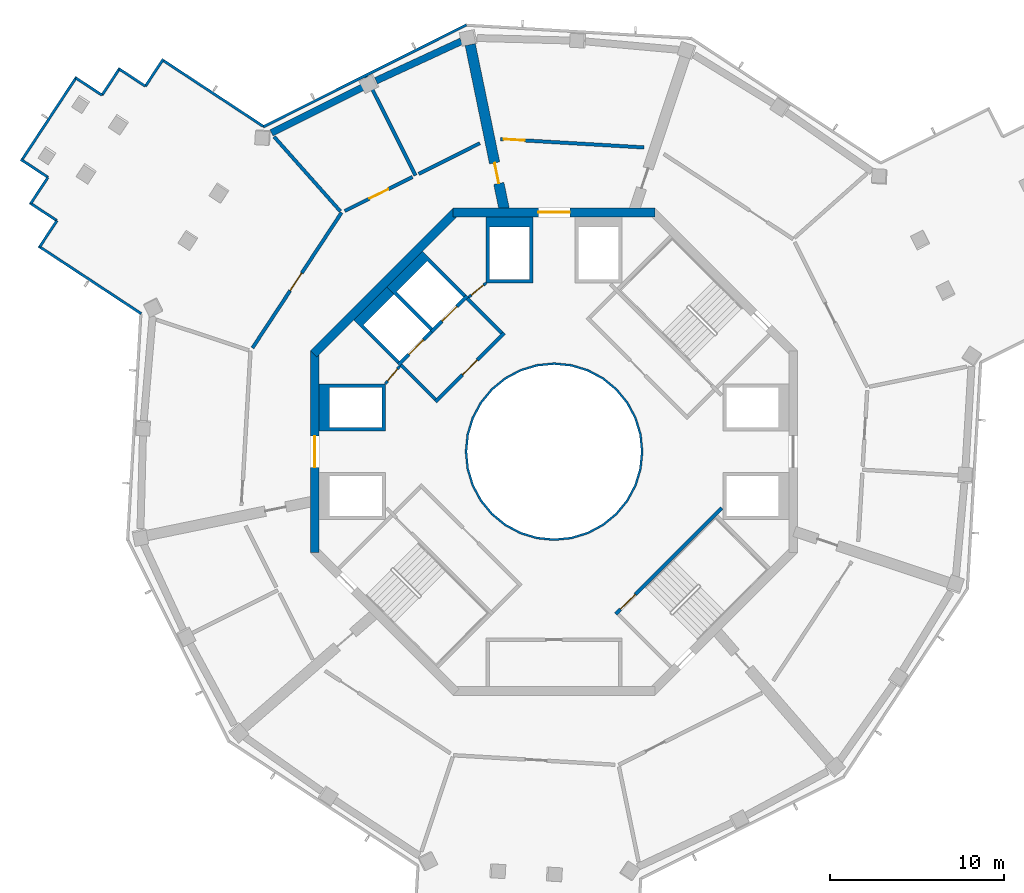
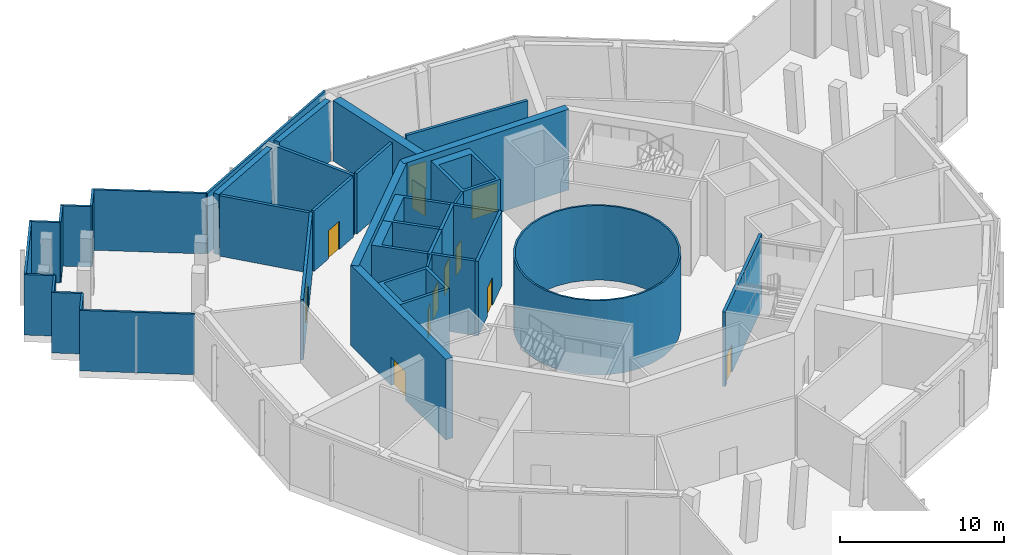
# One storey, part 3 of 16: 37 walls, 12 doors, 12 openings.
"""IFC4 building model written with IfcOpenShell, lengths in metres."""

from ifc_helpers import new_model, si_unit, direction, frame, frame_2d, origin, place, context, subcontext, project, spatial, polyline, rectangle, outline, extrude, material, layer, layer_set, type_object, element, fill, save


model = new_model("IFC4")

# Units and contexts
model_context = context("Model", 3, precision=1e-05, world=origin(), true_north=direction((0.0, 1.0)))
body_context = subcontext(model_context, "Body", "Model", "MODEL_VIEW")
ifc_project = project(units=[si_unit("LENGTHUNIT", "METRE"), si_unit("AREAUNIT", "SQUARE_METRE"), si_unit("VOLUMEUNIT", "CUBIC_METRE"), si_unit("PLANEANGLEUNIT", "RADIAN"), si_unit("MASSUNIT", "GRAM", prefix="KILO")], contexts=[model_context])

# Site, building, storey
site_placement = place(None, origin())
site = spatial("IfcSite", under=ifc_project, at=site_placement, CompositionType="ELEMENT")
building_placement = place(site_placement, origin())
building = spatial("IfcBuilding", under=site, at=building_placement, Name="Verdalira Terraces Hotel", CompositionType="ELEMENT")
storey_placement = place(building_placement, frame((0.0, 0.0, 263.0)))
storey = spatial("IfcBuildingStorey", under=building, at=storey_placement, Name="L65", CompositionType="ELEMENT", Elevation=263.0)

# Walls
ifc_material_1 = material(Name="Fire-resisting glass EI 180", Category="glass")
ifc_layer_1 = layer(ifc_material_1, 0.1201171875)
ifc_layer_set_1 = layer_set([ifc_layer_1], Name="Atrium fire screen 120 mm")
wall_type_1 = type_object("IfcWallType", Name="Atrium fire screen 120 mm", PredefinedType="SOLIDWALL", material=ifc_layer_set_1)
wall_1_placement = place(storey_placement, origin())
element("IfcWall", 1, at=wall_1_placement, inside=storey, type_object=wall_type_1, Name="Atrium fire screen", PredefinedType="SOLIDWALL", context=body_context, shape_type="SweptSolid", body=[
    extrude(outline(polyline([(5.021484, -0.998779), (4.730225, -1.959229), (4.25708, -2.844482), (3.620361, -3.620361), (2.844482, -4.25708), (1.959229, -4.730225), (0.998779, -5.021484), (0.0, -5.120117), (-0.998779, -5.021484), (-1.959229, -4.730225), (-2.844482, -4.25708), (-3.620361, -3.620361), (-4.25708, -2.844482), (-4.730225, -1.959229), (-5.021484, -0.998779), (-5.120117, 0.0), (-5.021484, 0.998779), (-4.730225, 1.959229), (-4.25708, 2.844482), (-3.620361, 3.620361), (-2.844482, 4.25708), (-1.959229, 4.730225), (-0.998779, 5.021484), (0.0, 5.120117), (0.998779, 5.021484), (1.959229, 4.730225), (2.844482, 4.25708), (3.620361, 3.620361), (4.25708, 2.844482), (4.730225, 1.959229), (5.021484, 0.998779), (5.120117, 0.0), (5.021484, -0.998779)]), holes=[polyline([(4.903809, 0.975586), (4.619385, 1.91333), (4.157227, 2.777832), (3.5354, 3.5354), (2.777832, 4.157227), (1.91333, 4.619385), (0.975586, 4.903809), (0.0, 5.0), (-0.975586, 4.903809), (-1.91333, 4.619385), (-2.777832, 4.157227), (-3.5354, 3.5354), (-4.157227, 2.777832), (-4.619385, 1.91333), (-4.903809, 0.975586), (-5.0, 0.0), (-4.903809, -0.975586), (-4.619385, -1.91333), (-4.157227, -2.777832), (-3.5354, -3.5354), (-2.777832, -4.157227), (-1.91333, -4.619385), (-0.975586, -4.903809), (0.0, -5.0), (0.975586, -4.903809), (1.91333, -4.619385), (2.777832, -4.157227), (3.5354, -3.5354), (4.157227, -2.777832), (4.619385, -1.91333), (4.903809, -0.975586), (5.0, 0.0), (4.903809, 0.975586)])]), origin(), (0.0, 0.0, 1.0), 5.550049),
])
ifc_material_2 = material(Name="Concrete C70", Category="concrete")
ifc_layer_2 = layer(ifc_material_2, 0.39990234375)
ifc_layer_set_2 = layer_set([ifc_layer_2], Name="Belt wall 400 C70")
wall_type_2 = type_object("IfcWallType", Name="Belt wall 400 C70", PredefinedType="SHEAR", material=ifc_layer_set_2)
wall_2_placement = place(storey_placement, frame((-5.336182, 23.584717, 0.0), z_axis=(0.0, 0.0, 1.0), x_axis=(-0.90763997, -0.419749551, 0.0)))
element("IfcWall", 2, at=wall_2_placement, inside=storey, type_object=wall_type_2, Name="Belt wall BW-65-17", PredefinedType="SHEAR", context=body_context, shape_type="SweptSolid", body=[
    extrude(rectangle(XDim=5.395752, YDim=0.399902, at=frame_2d((2.697754, 0.0))), origin(), (0.0, 0.0, 1.0), 4.5),
])
wall_3_placement = place(storey_placement, frame((-10.965576, 20.967285, 0.0), z_axis=(0.0, 0.0, 1.0), x_axis=(-0.893855414, -0.448355327, 0.0)))
element("IfcWall", 3, at=wall_3_placement, inside=storey, type_object=wall_type_2, Name="Belt wall BW-65-18", PredefinedType="SHEAR", context=body_context, shape_type="SweptSolid", body=[
    extrude(rectangle(XDim=5.899902, YDim=0.399902, at=frame_2d((2.949951, 0.0))), origin(), (0.0, 0.0, 1.0), 4.5),
])
ifc_material_3 = material(Name="Concrete C50", Category="concrete")
ifc_layer_3 = layer(ifc_material_3, 0.199951171875)
ifc_layer_set_3 = layer_set([ifc_layer_3], Name="Core RC wall 200 C50")
wall_type_3 = type_object("IfcWallType", Name="Core RC wall 200 C50", PredefinedType="SOLIDWALL", material=ifc_layer_set_3)
wall_4_placement = place(storey_placement, origin())
element("IfcWall", 4, at=wall_4_placement, inside=storey, type_object=wall_type_3, Name="L65 shaft wall N2", PredefinedType="SOLIDWALL", context=body_context, shape_type="SweptSolid", body=[
    extrude(outline(polyline([(-3.899902, 9.699951), (-3.899902, 13.5), (-1.199951, 13.5), (-1.199951, 9.699951), (-3.899902, 9.699951)]), holes=[polyline([(-1.399902, 12.899902), (-3.699951, 12.899902), (-3.699951, 9.899902), (-1.399902, 9.899902), (-1.399902, 12.899902)])]), origin(), (0.0, 0.0, 1.0), 5.550049),
])
wall_5_placement = place(storey_placement, origin())
element("IfcWall", 5, at=wall_5_placement, inside=storey, type_object=wall_type_3, Name="L65 shaft wall W1", PredefinedType="SOLIDWALL", context=body_context, shape_type="SweptSolid", body=[
    extrude(outline(polyline([(-13.5, 1.199951), (-13.5, 3.899902), (-9.699951, 3.899902), (-9.699951, 1.199951), (-13.5, 1.199951)]), holes=[polyline([(-9.899902, 3.699951), (-12.899902, 3.699951), (-12.899902, 1.399902), (-9.899902, 1.399902), (-9.899902, 3.699951)])]), origin(), (0.0, 0.0, 1.0), 5.550049),
])
wall_6_placement = place(storey_placement, origin())
element("IfcWall", 6, at=wall_6_placement, inside=storey, type_object=wall_type_3, Name="L65 shaft wall F1", PredefinedType="SOLIDWALL", context=body_context, shape_type="SweptSolid", body=[
    extrude(outline(polyline([(-9.616699, 9.475098), (-7.565918, 11.525879), (-5.055908, 9.015625), (-5.197266, 8.874268), (-7.283203, 10.960205), (-9.051025, 9.192383), (-6.965088, 7.106445), (-7.106445, 6.965088), (-9.616699, 9.475098)])), origin(), (0.0, 0.0, 1.0), 5.550049),
])

# Wall, opening, door
wall_7_placement = place(storey_placement, frame((-4.985107, 8.944824, 0.0), z_axis=(0.0, 0.0, 1.0), x_axis=(-0.707106781, -0.707106781, 0.0)))
wall_7 = element("IfcWall", 7, at=wall_7_placement, inside=storey, type_object=wall_type_3, Name="L65 shaft front wall F1", PredefinedType="SOLIDWALL", context=body_context, shape_type="SweptSolid", body=[
    extrude(rectangle(XDim=2.899902, YDim=0.199951, at=frame_2d((1.449951, 0.0))), origin(), (0.0, 0.0, 1.0), 5.550049),
])
opening_1_placement = place(wall_7_placement, frame((0.850098, 0.0, 0.0)))
opening_1 = element("IfcOpeningElement", 8, at=opening_1_placement, cuts=wall_7, Name="Opening LD-L65-802", PredefinedType="OPENING", context=body_context, shape_type="SweptSolid", body=[
    extrude(rectangle(XDim=1.199951, YDim=2.100098, at=frame_2d((0.600098, 1.050049))), frame((0.0, 0.109863, 0.0), z_axis=(0.0, -1.0, 0.0), x_axis=(1.0, 0.0, 0.0)), (0.0, 0.0, 1.0), 0.219971),
])
ifc_material_4 = material(Name="Stainless steel", Category="steel")
door_type_1 = type_object("IfcDoorType", Name="Landing door 1200 x 2100", OperationType="NOTDEFINED", PredefinedType="DOOR", material=ifc_material_4)
door_1_placement = place(opening_1_placement, origin())
door_1 = element("IfcDoor", 9, at=door_1_placement, inside=storey, type_object=door_type_1, Name="Lift landing door LF11 L65", OperationType="DOUBLE_DOOR_SLIDING", OverallHeight=2.10009765625, OverallWidth=1.199951171875, PredefinedType="DOOR", context=body_context, shape_type="SweptSolid", body=[
    extrude(rectangle(XDim=1.199951, YDim=2.100098, at=frame_2d((0.600098, 1.050049))), frame((0.0, 0.024902, 0.0), z_axis=(0.0, -1.0, 0.0), x_axis=(1.0, 0.0, 0.0)), (0.0, 0.0, 1.0), 0.050049),
])
fill(opening_1, door_1)

# Wall
wall_8_placement = place(storey_placement, origin())
element("IfcWall", 10, at=wall_8_placement, inside=storey, type_object=wall_type_3, Name="L65 shaft wall F2", PredefinedType="SOLIDWALL", context=body_context, shape_type="SweptSolid", body=[
    extrude(outline(polyline([(-11.525879, 7.565918), (-9.616699, 9.475098), (-9.192383, 9.051025), (-10.960205, 7.283203), (-8.874268, 5.197266), (-9.015625, 5.055908), (-11.525879, 7.565918)])), origin(), (0.0, 0.0, 1.0), 5.550049),
])

# Wall, opening, door
wall_9_placement = place(storey_placement, frame((-7.035645, 6.894287, 0.0), z_axis=(0.0, 0.0, 1.0), x_axis=(-0.707106781, -0.707106781, 0.0)))
wall_9 = element("IfcWall", 11, at=wall_9_placement, inside=storey, type_object=wall_type_3, Name="L65 shaft front wall F2", PredefinedType="SOLIDWALL", context=body_context, shape_type="SweptSolid", body=[
    extrude(rectangle(XDim=2.699951, YDim=0.199951, at=frame_2d((1.350098, 0.0))), origin(), (0.0, 0.0, 1.0), 5.550049),
])
opening_2_placement = place(wall_9_placement, frame((0.649902, 0.0, 0.0)))
opening_2 = element("IfcOpeningElement", 12, at=opening_2_placement, cuts=wall_9, Name="Opening LD-L65-803", PredefinedType="OPENING", context=body_context, shape_type="SweptSolid", body=[
    extrude(rectangle(XDim=1.199951, YDim=2.100098, at=frame_2d((0.600098, 1.050049))), frame((0.0, 0.109863, 0.0), z_axis=(0.0, -1.0, 0.0), x_axis=(1.0, 0.0, 0.0)), (0.0, 0.0, 1.0), 0.219971),
])
door_2_placement = place(opening_2_placement, origin())
door_2 = element("IfcDoor", 13, at=door_2_placement, inside=storey, type_object=door_type_1, Name="Lift landing door LF12 L65", OperationType="DOUBLE_DOOR_SLIDING", OverallHeight=2.10009765625, OverallWidth=1.199951171875, PredefinedType="DOOR", context=body_context, shape_type="SweptSolid", body=[
    extrude(rectangle(XDim=1.199951, YDim=2.100098, at=frame_2d((0.600098, 1.050049))), frame((0.0, 0.024902, 0.0), z_axis=(0.0, -1.0, 0.0), x_axis=(1.0, 0.0, 0.0)), (0.0, 0.0, 1.0), 0.050049),
])
fill(opening_2, door_2)

wall_10_placement = place(storey_placement, frame((9.629395, -3.23999, 0.0), z_axis=(0.0, 0.0, 1.0), x_axis=(-0.707120946, -0.707092617, 0.0)))
wall_10 = element("IfcWall", 14, at=wall_10_placement, inside=storey, type_object=wall_type_3, Name="L65 stair ST3 front wall", PredefinedType="SOLIDWALL", context=body_context, shape_type="SweptSolid", body=[
    extrude(rectangle(XDim=8.61792, YDim=0.199951, at=frame_2d((4.309082, 0.0))), origin(), (0.0, 0.0, 1.0), 5.550049),
])
opening_3_placement = place(wall_10_placement, frame((7.017822, 0.0, 0.0)))
opening_3 = element("IfcOpeningElement", 15, at=opening_3_placement, cuts=wall_10, Name="Opening L65-806", PredefinedType="OPENING", context=body_context, shape_type="SweptSolid", body=[
    extrude(rectangle(XDim=1.199951, YDim=2.100098, at=frame_2d((0.600098, 1.050049))), frame((0.0, 0.109863, 0.0), z_axis=(0.0, -1.0, 0.0), x_axis=(1.0, 0.0, 0.0)), (0.0, 0.0, 1.0), 0.219971),
])
ifc_material_5 = material(Name="Steel fire door", Category="steel")
door_type_2 = type_object("IfcDoorType", Name="Stair door 1200 x 2100", OperationType="NOTDEFINED", PredefinedType="DOOR", material=ifc_material_5)
door_3_placement = place(opening_3_placement, origin())
door_3 = element("IfcDoor", 16, at=door_3_placement, inside=storey, type_object=door_type_2, Name="Stair door ST3 L65", OperationType="SINGLE_SWING_RIGHT", OverallHeight=2.10009765625, OverallWidth=1.199951171875, PredefinedType="DOOR", context=body_context, shape_type="SweptSolid", body=[
    extrude(rectangle(XDim=1.199951, YDim=2.100098, at=frame_2d((0.600098, 1.050049))), frame((0.0, 0.024902, 0.0), z_axis=(0.0, -1.0, 0.0), x_axis=(1.0, 0.0, 0.0)), (0.0, 0.0, 1.0), 0.050049),
])
fill(opening_3, door_3)

wall_11_placement = place(storey_placement, frame((-2.86377, 6.823486, 0.0), z_axis=(0.0, 0.0, 1.0), x_axis=(-0.707106781, -0.707106781, 0.0)))
wall_11 = element("IfcWall", 17, at=wall_11_placement, inside=storey, type_object=wall_type_3, Name="L65 fire lobby wall", PredefinedType="SOLIDWALL", context=body_context, shape_type="SweptSolid", body=[
    extrude(rectangle(XDim=5.599854, YDim=0.199951, at=frame_2d((2.799805, 0.0))), origin(), (0.0, 0.0, 1.0), 5.550049),
])
opening_4_placement = place(wall_11_placement, frame((2.199951, 0.0, 0.0)))
opening_4 = element("IfcOpeningElement", 18, at=opening_4_placement, cuts=wall_11, Name="Opening L65-813", PredefinedType="OPENING", context=body_context, shape_type="SweptSolid", body=[
    extrude(rectangle(XDim=1.199951, YDim=2.100098, at=frame_2d((0.600098, 1.050049))), frame((0.0, 0.109863, 0.0), z_axis=(0.0, -1.0, 0.0), x_axis=(1.0, 0.0, 0.0)), (0.0, 0.0, 1.0), 0.219971),
])
ifc_material_6 = material(Name="Steel fire door", Category="steel")
door_type_3 = type_object("IfcDoorType", Name="Lobby door 1200 x 2100", OperationType="NOTDEFINED", PredefinedType="DOOR", material=ifc_material_6)
door_4_placement = place(opening_4_placement, origin())
door_4 = element("IfcDoor", 19, at=door_4_placement, inside=storey, type_object=door_type_3, Name="Fire lobby door L65", OperationType="SINGLE_SWING_LEFT", OverallHeight=2.10009765625, OverallWidth=1.199951171875, PredefinedType="DOOR", context=body_context, shape_type="SweptSolid", body=[
    extrude(rectangle(XDim=1.199951, YDim=2.100098, at=frame_2d((0.600098, 1.050049))), frame((0.0, 0.024902, 0.0), z_axis=(0.0, -1.0, 0.0), x_axis=(1.0, 0.0, 0.0)), (0.0, 0.0, 1.0), 0.050049),
])
fill(opening_4, door_4)

# Walls
for number, where, z_axis, x_axis, name in (
    (20, (-3.005127, 6.823486, 0.0), (0.0, 0.0, 1.0), (-0.707106781, 0.707106781, 0.0), "L65 fire lobby wall"),
    (21, (-6.823486, 3.005127, 0.0), (0.0, 0.0, 1.0), (-0.707106781, 0.707106781, 0.0), "L65 fire lobby wall"),
):
    element("IfcWall", number, at=place(storey_placement, frame(where, z_axis=z_axis, x_axis=x_axis)), inside=storey, type_object=wall_type_3, Name=name, PredefinedType="SOLIDWALL", context=body_context, shape_type="SweptSolid", body=[
        extrude(rectangle(XDim=2.800049, YDim=0.199951, at=frame_2d((1.399902, 0.0))), origin(), (0.0, 0.0, 1.0), 5.550049),
    ])

# Wall, opening, door
ifc_material_7 = material(Name="Gypsum board partition")
ifc_layer_4 = layer(ifc_material_7, 0.14990234375)
ifc_layer_set_4 = layer_set([ifc_layer_4], Name="Core partition 150 mm")
wall_type_4 = type_object("IfcWallType", Name="Core partition 150 mm", PredefinedType="PARTITIONING", material=ifc_layer_set_4)
wall_12_placement = place(storey_placement, frame((-3.899902, 9.699951, 0.0), z_axis=(0.0, 0.0, 1.0), x_axis=(-0.775559878, -0.631274009, 0.0)))
wall_12 = element("IfcWall", 22, at=wall_12_placement, inside=storey, type_object=wall_type_4, Name="Room partition L65", PredefinedType="PARTITIONING", context=body_context, shape_type="SweptSolid", body=[
    extrude(rectangle(XDim=1.307861, YDim=0.149902, at=frame_2d((0.653809, 0.0))), origin(), (0.0, 0.0, 1.0), 5.550049),
])
opening_5_placement = place(wall_12_placement, frame((0.204102, 0.0, 0.0)))
opening_5 = element("IfcOpeningElement", 23, at=opening_5_placement, cuts=wall_12, Name="Opening L65-814", PredefinedType="OPENING", context=body_context, shape_type="SweptSolid", body=[
    extrude(rectangle(XDim=0.899902, YDim=2.100098, at=frame_2d((0.449951, 1.050049))), frame((0.0, 0.084961, 0.0), z_axis=(0.0, -1.0, 0.0), x_axis=(1.0, 0.0, 0.0)), (0.0, 0.0, 1.0), 0.169922),
])
ifc_material_8 = material(Name="Steel fire door", Category="steel")
door_type_4 = type_object("IfcDoorType", Name="Core room door 900 x 2100", OperationType="NOTDEFINED", PredefinedType="DOOR", material=ifc_material_8)
door_5_placement = place(opening_5_placement, origin())
door_5 = element("IfcDoor", 24, at=door_5_placement, inside=storey, type_object=door_type_4, Name="Door L65 room2", OperationType="SINGLE_SWING_LEFT", OverallHeight=2.10009765625, OverallWidth=0.89990234375, PredefinedType="DOOR", context=body_context, shape_type="SweptSolid", body=[
    extrude(rectangle(XDim=0.899902, YDim=2.100098, at=frame_2d((0.449951, 1.050049))), frame((0.0, 0.024902, 0.0), z_axis=(0.0, -1.0, 0.0), x_axis=(1.0, 0.0, 0.0)), (0.0, 0.0, 1.0), 0.050049),
])
fill(opening_5, door_5)

wall_13_placement = place(storey_placement, frame((-8.874268, 4.914307, 0.0), z_axis=(0.0, 0.0, 1.0), x_axis=(-0.631274009, -0.775559878, 0.0)))
wall_13 = element("IfcWall", 25, at=wall_13_placement, inside=storey, type_object=wall_type_4, Name="Room partition L65", PredefinedType="PARTITIONING", context=body_context, shape_type="SweptSolid", body=[
    extrude(rectangle(XDim=1.307861, YDim=0.149902, at=frame_2d((0.653809, 0.0))), origin(), (0.0, 0.0, 1.0), 5.550049),
])
opening_6_placement = place(wall_13_placement, frame((0.204102, 0.0, 0.0)))
opening_6 = element("IfcOpeningElement", 26, at=opening_6_placement, cuts=wall_13, Name="Opening L65-815", PredefinedType="OPENING", context=body_context, shape_type="SweptSolid", body=[
    extrude(rectangle(XDim=0.899902, YDim=2.100098, at=frame_2d((0.449951, 1.050049))), frame((0.0, 0.084961, 0.0), z_axis=(0.0, -1.0, 0.0), x_axis=(1.0, 0.0, 0.0)), (0.0, 0.0, 1.0), 0.169922),
])
door_6_placement = place(opening_6_placement, origin())
door_6 = element("IfcDoor", 27, at=door_6_placement, inside=storey, type_object=door_type_4, Name="Door L65 room3", OperationType="SINGLE_SWING_LEFT", OverallHeight=2.10009765625, OverallWidth=0.89990234375, PredefinedType="DOOR", context=body_context, shape_type="SweptSolid", body=[
    extrude(rectangle(XDim=0.899902, YDim=2.100098, at=frame_2d((0.449951, 1.050049))), frame((0.0, 0.024902, 0.0), z_axis=(0.0, -1.0, 0.0), x_axis=(1.0, 0.0, 0.0)), (0.0, 0.0, 1.0), 0.050049),
])
fill(opening_6, door_6)

ifc_material_9 = material(Name="Concrete C50", Category="concrete")
ifc_layer_5 = layer(ifc_material_9, 0.5)
ifc_layer_set_5 = layer_set([ifc_layer_5], Name="Core wall 500 C50")
wall_type_5 = type_object("IfcWallType", Name="Core wall 500 C50", PredefinedType="SHEAR", material=ifc_layer_set_5)
wall_14_placement = place(storey_placement, frame((5.799072, 13.75, 0.0), z_axis=(0.0, 0.0, 1.0), x_axis=(-1.0, 0.0, 0.0)))
wall_14 = element("IfcWall", 28, at=wall_14_placement, inside=storey, type_object=wall_type_5, Name="Core wall CW-L65-3", PredefinedType="SHEAR", context=body_context, shape_type="SweptSolid", body=[
    extrude(rectangle(XDim=11.598145, YDim=0.5, at=frame_2d((5.799072, 0.0))), origin(), (0.0, 0.0, 1.0), 6.0),
])
opening_7_placement = place(wall_14_placement, frame((4.898926, 0.0, 0.0)))
opening_7 = element("IfcOpeningElement", 29, at=opening_7_placement, cuts=wall_14, Name="Opening L65-808", PredefinedType="OPENING", context=body_context, shape_type="SweptSolid", body=[
    extrude(rectangle(XDim=1.800049, YDim=2.100098, at=frame_2d((0.899902, 1.050049))), frame((0.0, 0.26001, 0.0), z_axis=(0.0, -1.0, 0.0), x_axis=(1.0, 0.0, 0.0)), (0.0, 0.0, 1.0), 0.52002),
])
ifc_material_10 = material(Name="Steel fire door", Category="steel")
door_type_5 = type_object("IfcDoorType", Name="Core entry door pair 1800 x 2100", OperationType="NOTDEFINED", PredefinedType="DOOR", material=ifc_material_10)
door_7_placement = place(opening_7_placement, origin())
door_7 = element("IfcDoor", 30, at=door_7_placement, inside=storey, type_object=door_type_5, Name="Core entry door L65 2", OperationType="DOUBLE_DOOR_SINGLE_SWING", OverallHeight=2.10009765625, OverallWidth=1.800048828125, PredefinedType="DOOR", context=body_context, shape_type="SweptSolid", body=[
    extrude(rectangle(XDim=1.800049, YDim=2.100098, at=frame_2d((0.899902, 1.050049))), frame((0.0, 0.024902, 0.0), z_axis=(0.0, -1.0, 0.0), x_axis=(1.0, 0.0, 0.0)), (0.0, 0.0, 1.0), 0.050049),
])
fill(opening_7, door_7)

# Wall
wall_15_placement = place(storey_placement, frame((-5.622314, 13.823242, 0.0), z_axis=(0.0, 0.0, 1.0), x_axis=(-0.707106781, -0.707106781, 0.0)))
element("IfcWall", 31, at=wall_15_placement, inside=storey, type_object=wall_type_5, Name="Core wall CW-L65-4", PredefinedType="SHEAR", context=body_context, shape_type="SweptSolid", body=[
    extrude(rectangle(XDim=11.5979, YDim=0.5, at=frame_2d((5.798828, 0.0))), origin(), (0.0, 0.0, 1.0), 6.0),
])

# Wall, opening, door
wall_16_placement = place(storey_placement, frame((-13.75, 5.799072, 0.0), z_axis=(0.0, 0.0, 1.0), x_axis=(0.0, -1.0, 0.0)))
wall_16 = element("IfcWall", 32, at=wall_16_placement, inside=storey, type_object=wall_type_5, Name="Core wall CW-L65-5", PredefinedType="SHEAR", context=body_context, shape_type="SweptSolid", body=[
    extrude(rectangle(XDim=11.598145, YDim=0.5, at=frame_2d((5.799072, 0.0))), origin(), (0.0, 0.0, 1.0), 6.0),
])
opening_8_placement = place(wall_16_placement, frame((4.898926, 0.0, 0.0)))
opening_8 = element("IfcOpeningElement", 33, at=opening_8_placement, cuts=wall_16, Name="Opening L65-809", PredefinedType="OPENING", context=body_context, shape_type="SweptSolid", body=[
    extrude(rectangle(XDim=1.800049, YDim=2.100098, at=frame_2d((0.899902, 1.050049))), frame((0.0, 0.26001, 0.0), z_axis=(0.0, -1.0, 0.0), x_axis=(1.0, 0.0, 0.0)), (0.0, 0.0, 1.0), 0.52002),
])
door_8_placement = place(opening_8_placement, origin())
door_8 = element("IfcDoor", 34, at=door_8_placement, inside=storey, type_object=door_type_5, Name="Core entry door L65 4", OperationType="DOUBLE_DOOR_SINGLE_SWING", OverallHeight=2.10009765625, OverallWidth=1.800048828125, PredefinedType="DOOR", context=body_context, shape_type="SweptSolid", body=[
    extrude(rectangle(XDim=1.800049, YDim=2.100098, at=frame_2d((0.899902, 1.050049))), frame((0.0, 0.024902, 0.0), z_axis=(0.0, -1.0, 0.0), x_axis=(1.0, 0.0, 0.0)), (0.0, 0.0, 1.0), 0.050049),
])
fill(opening_8, door_8)

ifc_material_11 = material(Name="Concrete C70", Category="concrete")
ifc_layer_6 = layer(ifc_material_11, 0.60009765625)
ifc_layer_set_6 = layer_set([ifc_layer_6], Name="Outrigger wall 600 C70")
wall_type_6 = type_object("IfcWallType", Name="Outrigger wall 600 C70", PredefinedType="SHEAR", material=ifc_layer_set_6)
wall_17_placement = place(storey_placement, frame((-2.843506, 13.804199, 0.0), z_axis=(0.0, 0.0, 1.0), x_axis=(-0.201785179, 0.979429804, 0.0)))
wall_17 = element("IfcWall", 35, at=wall_17_placement, inside=storey, type_object=wall_type_6, Name="Outrigger wall OW-65-6", PredefinedType="SHEAR", context=body_context, shape_type="SweptSolid", body=[
    extrude(rectangle(XDim=9.791748, YDim=0.600098, at=frame_2d((4.895996, 0.0))), origin(), (0.0, 0.0, 1.0), 4.5),
])
opening_9_placement = place(wall_17_placement, frame((1.649902, 0.0, 0.0)))
opening_9 = element("IfcOpeningElement", 36, at=opening_9_placement, cuts=wall_17, Name="Opening L65-106", PredefinedType="OPENING", context=body_context, shape_type="SweptSolid", body=[
    extrude(rectangle(XDim=1.199951, YDim=2.100098, at=frame_2d((0.600098, 1.050049))), frame((0.0, 0.310059, 0.0), z_axis=(0.0, -1.0, 0.0), x_axis=(1.0, 0.0, 0.0)), (0.0, 0.0, 1.0), 0.620117),
])
ifc_material_12 = material(Name="Steel fire door", Category="steel")
door_type_6 = type_object("IfcDoorType", Name="Plant room door 1200 x 2100", OperationType="NOTDEFINED", PredefinedType="DOOR", material=ifc_material_12)
door_9_placement = place(opening_9_placement, origin())
door_9 = element("IfcDoor", 37, at=door_9_placement, inside=storey, type_object=door_type_6, Name="Plant room door", OperationType="SINGLE_SWING_LEFT", OverallHeight=2.10009765625, OverallWidth=1.199951171875, PredefinedType="DOOR", context=body_context, shape_type="SweptSolid", body=[
    extrude(rectangle(XDim=1.199951, YDim=2.100098, at=frame_2d((0.600098, 1.050049))), frame((0.0, 0.024902, 0.0), z_axis=(0.0, -1.0, 0.0), x_axis=(1.0, 0.0, 0.0)), (0.0, 0.0, 1.0), 0.050049),
])
fill(opening_9, door_9)

ifc_material_13 = material(Name="Fire-rated concrete block wall", Category="concrete")
ifc_layer_7 = layer(ifc_material_13, 0.199951171875)
ifc_layer_set_7 = layer_set([ifc_layer_7], Name="Plant room wall 200 mm")
wall_type_7 = type_object("IfcWallType", Name="Plant room wall 200 mm", PredefinedType="SOLIDWALL", material=ifc_layer_set_7)
wall_18_placement = place(storey_placement, frame((-17.338867, 5.958008, 0.0), z_axis=(0.0, 0.0, 1.0), x_axis=(0.549889366, 0.835237502, 0.0)))
wall_18 = element("IfcWall", 38, at=wall_18_placement, inside=storey, type_object=wall_type_7, Name="Plant room wall", PredefinedType="SOLIDWALL", context=body_context, shape_type="SweptSolid", body=[
    extrude(rectangle(XDim=9.316406, YDim=0.199951, at=frame_2d((4.658203, 0.0))), origin(), (0.0, 0.0, 1.0), 4.5),
])
opening_10_placement = place(wall_18_placement, frame((3.949951, 0.0, 0.0)))
opening_10 = element("IfcOpeningElement", 39, at=opening_10_placement, cuts=wall_18, Name="Opening L65-107", PredefinedType="OPENING", context=body_context, shape_type="SweptSolid", body=[
    extrude(rectangle(XDim=1.199951, YDim=2.100098, at=frame_2d((0.600098, 1.050049))), frame((0.0, 0.109863, 0.0), z_axis=(0.0, -1.0, 0.0), x_axis=(1.0, 0.0, 0.0)), (0.0, 0.0, 1.0), 0.219971),
])
door_10_placement = place(opening_10_placement, origin())
door_10 = element("IfcDoor", 40, at=door_10_placement, inside=storey, type_object=door_type_6, Name="Plant room door 6501", OperationType="SINGLE_SWING_LEFT", OverallHeight=2.10009765625, OverallWidth=1.199951171875, PredefinedType="DOOR", context=body_context, shape_type="SweptSolid", body=[
    extrude(rectangle(XDim=1.199951, YDim=2.100098, at=frame_2d((0.600098, 1.050049))), frame((0.0, 0.024902, 0.0), z_axis=(0.0, -1.0, 0.0), x_axis=(1.0, 0.0, 0.0)), (0.0, 0.0, 1.0), 0.050049),
])
fill(opening_10, door_10)

# Wall
wall_19_placement = place(storey_placement, frame((-16.089111, 18.095947, 0.0), z_axis=(0.0, 0.0, 1.0), x_axis=(0.664445878, -0.747336387, 0.0)))
element("IfcWall", 41, at=wall_19_placement, inside=storey, type_object=wall_type_7, Name="Plant room wall", PredefinedType="SOLIDWALL", context=body_context, shape_type="SweptSolid", body=[
    extrude(rectangle(XDim=5.72583, YDim=0.199951, at=frame_2d((2.862793, 0.0))), origin(), (0.0, 0.0, 1.0), 4.5),
])

# Wall, opening, door
wall_20_placement = place(storey_placement, frame((-12.036865, 13.829346, 0.0), z_axis=(0.0, 0.0, 1.0), x_axis=(0.893843831, 0.448378417, 0.0)))
wall_20 = element("IfcWall", 42, at=wall_20_placement, inside=storey, type_object=wall_type_7, Name="Plant room wall", PredefinedType="SOLIDWALL", context=body_context, shape_type="SweptSolid", body=[
    extrude(rectangle(XDim=4.358154, YDim=0.199951, at=frame_2d((2.179199, 0.0))), origin(), (0.0, 0.0, 1.0), 4.5),
])
opening_11_placement = place(wall_20_placement, frame((1.600098, 0.0, 0.0)))
opening_11 = element("IfcOpeningElement", 43, at=opening_11_placement, cuts=wall_20, Name="Opening L65-117", PredefinedType="OPENING", context=body_context, shape_type="SweptSolid", body=[
    extrude(rectangle(XDim=1.199951, YDim=2.100098, at=frame_2d((0.600098, 1.050049))), frame((0.0, 0.109863, 0.0), z_axis=(0.0, -1.0, 0.0), x_axis=(1.0, 0.0, 0.0)), (0.0, 0.0, 1.0), 0.219971),
])
door_11_placement = place(opening_11_placement, origin())
door_11 = element("IfcDoor", 44, at=door_11_placement, inside=storey, type_object=door_type_6, Name="Plant room door 6511", OperationType="SINGLE_SWING_LEFT", OverallHeight=2.10009765625, OverallWidth=1.199951171875, PredefinedType="DOOR", context=body_context, shape_type="SweptSolid", body=[
    extrude(rectangle(XDim=1.199951, YDim=2.100098, at=frame_2d((0.600098, 1.050049))), frame((0.0, 0.024902, 0.0), z_axis=(0.0, -1.0, 0.0), x_axis=(1.0, 0.0, 0.0)), (0.0, 0.0, 1.0), 0.050049),
])
fill(opening_11, door_11)

# Walls
wall_21_placement = place(storey_placement, frame((-7.962646, 15.873291, 0.0), z_axis=(0.0, 0.0, 1.0), x_axis=(-0.448382037, 0.893842016, 0.0)))
element("IfcWall", 45, at=wall_21_placement, inside=storey, type_object=wall_type_7, Name="Plant room wall", PredefinedType="SOLIDWALL", context=body_context, shape_type="SweptSolid", body=[
    extrude(rectangle(XDim=6.349854, YDim=0.199951, at=frame_2d((3.174805, 0.0))), origin(), (0.0, 0.0, 1.0), 4.5),
])
wall_22_placement = place(storey_placement, frame((-4.264893, 17.727783, 0.0), z_axis=(0.0, 0.0, 1.0), x_axis=(-0.893868331, -0.448329575, 0.0)))
element("IfcWall", 46, at=wall_22_placement, inside=storey, type_object=wall_type_7, Name="Plant room wall", PredefinedType="SOLIDWALL", context=body_context, shape_type="SweptSolid", body=[
    extrude(rectangle(XDim=3.936523, YDim=0.199951, at=frame_2d((1.968262, 0.0))), origin(), (0.0, 0.0, 1.0), 4.5),
])

# Wall, opening, door
wall_23_placement = place(storey_placement, frame((-3.088623, 17.970215, 0.0), z_axis=(0.0, 0.0, 1.0), x_axis=(0.998281387, -0.058602667, 0.0)))
wall_23 = element("IfcWall", 47, at=wall_23_placement, inside=storey, type_object=wall_type_7, Name="Plant room wall", PredefinedType="SOLIDWALL", context=body_context, shape_type="SweptSolid", body=[
    extrude(rectangle(XDim=8.273682, YDim=0.199951, at=frame_2d((4.136719, 0.0))), origin(), (0.0, 0.0, 1.0), 4.5),
])
opening_12_placement = place(wall_23_placement, frame((0.199951, 0.0, 0.0)))
opening_12 = element("IfcOpeningElement", 48, at=opening_12_placement, cuts=wall_23, Name="Opening L65-116", PredefinedType="OPENING", context=body_context, shape_type="SweptSolid", body=[
    extrude(rectangle(XDim=1.199951, YDim=2.100098, at=frame_2d((0.600098, 1.050049))), frame((0.0, 0.109863, 0.0), z_axis=(0.0, -1.0, 0.0), x_axis=(1.0, 0.0, 0.0)), (0.0, 0.0, 1.0), 0.219971),
])
door_12_placement = place(opening_12_placement, origin())
door_12 = element("IfcDoor", 49, at=door_12_placement, inside=storey, type_object=door_type_6, Name="Plant room door 6510", OperationType="SINGLE_SWING_LEFT", OverallHeight=2.10009765625, OverallWidth=1.199951171875, PredefinedType="DOOR", context=body_context, shape_type="SweptSolid", body=[
    extrude(rectangle(XDim=1.199951, YDim=2.100098, at=frame_2d((0.600098, 1.050049))), frame((0.0, 0.024902, 0.0), z_axis=(0.0, -1.0, 0.0), x_axis=(1.0, 0.0, 0.0)), (0.0, 0.0, 1.0), 0.050049),
])
fill(opening_12, door_12)

# Walls
ifc_material_14 = material(Name="Terracotta cladding", Category="masonry")
ifc_layer_8 = layer(ifc_material_14, 0.14990234375)
ifc_layer_set_8 = layer_set([ifc_layer_8], Name="Terracotta clad wall 150")
wall_type_8 = type_object("IfcWallType", Name="Terracotta clad wall 150", PredefinedType="SOLIDWALL", material=ifc_layer_set_8)
wall_24_placement = place(storey_placement, frame((-16.718506, 18.699707, 0.0), z_axis=(0.0, 0.0, 1.0), x_axis=(-0.835243571, 0.549880148, 0.0)))
element("IfcWall", 50, at=wall_24_placement, inside=storey, type_object=wall_type_8, Name="Terracotta cladding wall", PredefinedType="SOLIDWALL", context=body_context, shape_type="SweptSolid", body=[
    extrude(rectangle(XDim=6.921387, YDim=0.149902, at=frame_2d((3.460693, 0.0))), origin(), (0.0, 0.0, 1.0), 4.5),
])
wall_25_placement = place(storey_placement, frame((-22.458252, 22.568359, 0.0), z_axis=(0.0, 0.0, 1.0), x_axis=(-0.549944055, -0.835201494, 0.0)))
element("IfcWall", 51, at=wall_25_placement, inside=storey, type_object=wall_type_8, Name="Terracotta cladding wall", PredefinedType="SOLIDWALL", context=body_context, shape_type="SweptSolid", body=[
    extrude(rectangle(XDim=1.875244, YDim=0.149902, at=frame_2d((0.9375, 0.0))), origin(), (0.0, 0.0, 1.0), 4.5),
])
wall_26_placement = place(storey_placement, frame((-23.489502, 21.002197, 0.0), z_axis=(0.0, 0.0, 1.0), x_axis=(-0.835187579, 0.549965189, 0.0)))
element("IfcWall", 52, at=wall_26_placement, inside=storey, type_object=wall_type_8, Name="Terracotta cladding wall", PredefinedType="SOLIDWALL", context=body_context, shape_type="SweptSolid", body=[
    extrude(rectangle(XDim=1.800049, YDim=0.149902, at=frame_2d((0.899902, 0.0))), origin(), (0.0, 0.0, 1.0), 4.5),
])
wall_27_placement = place(storey_placement, frame((-24.95166, 22.054688, 0.0), z_axis=(0.0, 0.0, 1.0), x_axis=(-0.54991303, -0.835221922, 0.0)))
element("IfcWall", 53, at=wall_27_placement, inside=storey, type_object=wall_type_8, Name="Terracotta cladding wall", PredefinedType="SOLIDWALL", context=body_context, shape_type="SweptSolid", body=[
    extrude(rectangle(XDim=1.874756, YDim=0.149902, at=frame_2d((0.9375, 0.0))), origin(), (0.0, 0.0, 1.0), 4.5),
])
wall_28_placement = place(storey_placement, frame((-25.982666, 20.48877, 0.0), z_axis=(0.0, 0.0, 1.0), x_axis=(-0.835249874, 0.549870573, 0.0)))
element("IfcWall", 54, at=wall_28_placement, inside=storey, type_object=wall_type_8, Name="Terracotta cladding wall", PredefinedType="SOLIDWALL", context=body_context, shape_type="SweptSolid", body=[
    extrude(rectangle(XDim=1.800049, YDim=0.149902, at=frame_2d((0.899902, 0.0))), origin(), (0.0, 0.0, 1.0), 4.5),
])
wall_29_placement = place(storey_placement, frame((-27.444824, 21.541016, 0.0), z_axis=(0.0, 0.0, 1.0), x_axis=(-0.549918016, -0.835218639, 0.0)))
element("IfcWall", 55, at=wall_29_placement, inside=storey, type_object=wall_type_8, Name="Terracotta cladding wall", PredefinedType="SOLIDWALL", context=body_context, shape_type="SweptSolid", body=[
    extrude(rectangle(XDim=5.724854, YDim=0.149902, at=frame_2d((2.862305, 0.0))), origin(), (0.0, 0.0, 1.0), 4.5),
])
wall_30_placement = place(storey_placement, frame((-30.655518, 16.800781, 0.0), z_axis=(0.0, 0.0, 1.0), x_axis=(0.835162112, -0.550003861, 0.0)))
element("IfcWall", 56, at=wall_30_placement, inside=storey, type_object=wall_type_8, Name="Terracotta cladding wall", PredefinedType="SOLIDWALL", context=body_context, shape_type="SweptSolid", body=[
    extrude(rectangle(XDim=1.875, YDim=0.149902, at=frame_2d((0.9375, 0.0))), origin(), (0.0, 0.0, 1.0), 4.5),
])
wall_31_placement = place(storey_placement, frame((-29.0896, 15.769531, 0.0), z_axis=(0.0, 0.0, 1.0), x_axis=(-0.549870573, -0.835249874, 0.0)))
element("IfcWall", 57, at=wall_31_placement, inside=storey, type_object=wall_type_8, Name="Terracotta cladding wall", PredefinedType="SOLIDWALL", context=body_context, shape_type="SweptSolid", body=[
    extrude(rectangle(XDim=1.800049, YDim=0.149902, at=frame_2d((0.899902, 0.0))), origin(), (0.0, 0.0, 1.0), 4.5),
])
wall_32_placement = place(storey_placement, frame((-30.14209, 14.307373, 0.0), z_axis=(0.0, 0.0, 1.0), x_axis=(0.835261294, -0.549853226, 0.0)))
element("IfcWall", 58, at=wall_32_placement, inside=storey, type_object=wall_type_8, Name="Terracotta cladding wall", PredefinedType="SOLIDWALL", context=body_context, shape_type="SweptSolid", body=[
    extrude(rectangle(XDim=1.875, YDim=0.149902, at=frame_2d((0.9375, 0.0))), origin(), (0.0, 0.0, 1.0), 4.5),
])
wall_33_placement = place(storey_placement, frame((-28.575928, 13.276367, 0.0), z_axis=(0.0, 0.0, 1.0), x_axis=(-0.549870573, -0.835249874, 0.0)))
element("IfcWall", 59, at=wall_33_placement, inside=storey, type_object=wall_type_8, Name="Terracotta cladding wall", PredefinedType="SOLIDWALL", context=body_context, shape_type="SweptSolid", body=[
    extrude(rectangle(XDim=1.800049, YDim=0.149902, at=frame_2d((0.899902, 0.0))), origin(), (0.0, 0.0, 1.0), 4.5),
])
wall_34_placement = place(storey_placement, frame((-29.628418, 11.814209, 0.0), z_axis=(0.0, 0.0, 1.0), x_axis=(0.835228586, -0.549902909, 0.0)))
element("IfcWall", 60, at=wall_34_placement, inside=storey, type_object=wall_type_8, Name="Terracotta cladding wall", PredefinedType="SOLIDWALL", context=body_context, shape_type="SweptSolid", body=[
    extrude(rectangle(XDim=7.060059, YDim=0.149902, at=frame_2d((3.530029, 0.0))), origin(), (0.0, 0.0, 1.0), 4.5),
])
wall_35_placement = place(storey_placement, frame((-5.033447, 24.530518, 0.0), z_axis=(0.0, 0.0, 1.0), x_axis=(-0.893843856, -0.448378369, 0.0)))
element("IfcWall", 61, at=wall_35_placement, inside=storey, type_object=wall_type_8, Name="Terracotta cladding wall", PredefinedType="SOLIDWALL", context=body_context, shape_type="SweptSolid", body=[
    extrude(rectangle(XDim=13.074951, YDim=0.149902, at=frame_2d((6.537598, 0.0))), origin(), (0.0, 0.0, 1.0), 4.5),
])

save(model, "model.ifc")
